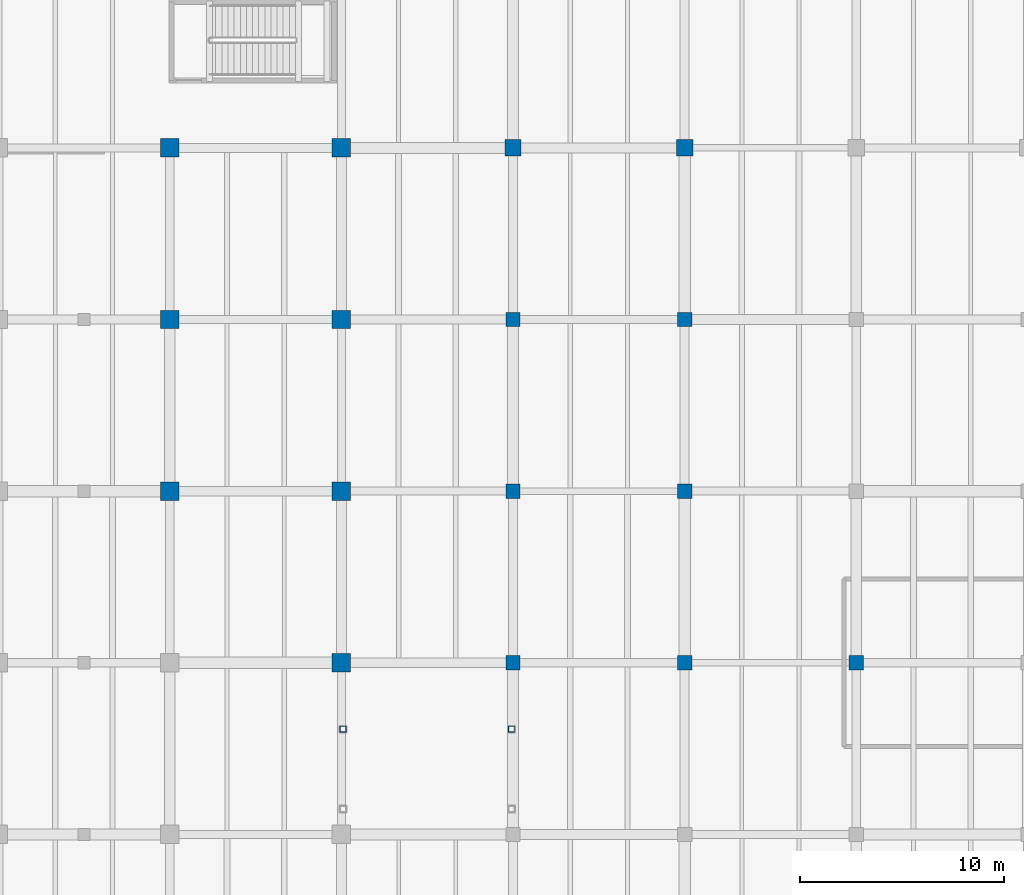
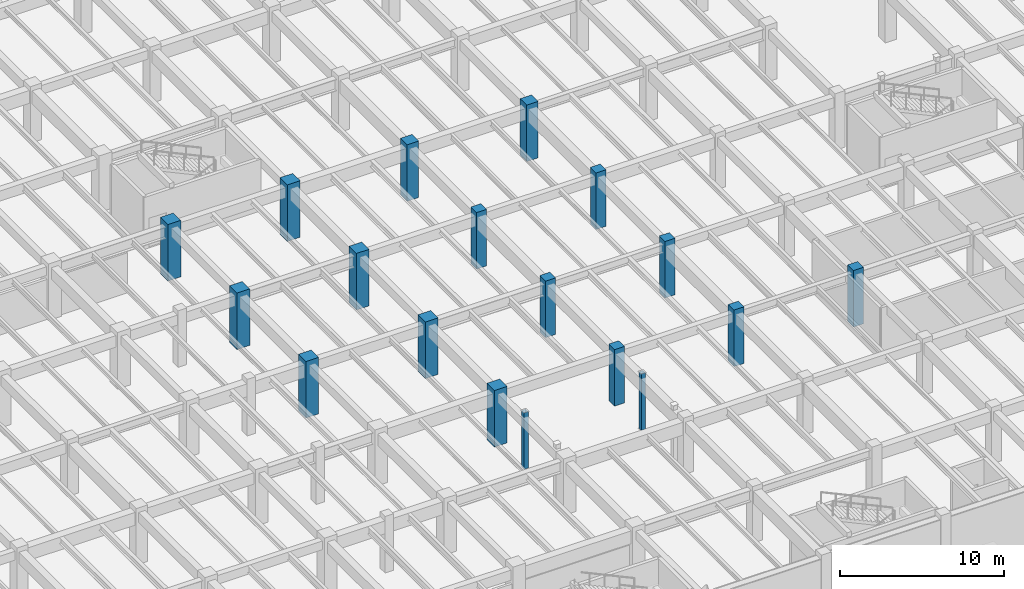
# One storey, part 5 of 63: 18 columns.
"""IFC4 building model written with IfcOpenShell, lengths in metres."""

from ifc_helpers import new_model, si_unit, direction, frame, origin, origin_2d, place, context, subcontext, project, spatial, rectangle, hollow_rectangle, extrude, material, material_profile, profile_set, type_object, element, save


model = new_model("IFC4")

# Units and contexts
model_context = context("Model", 3, precision=1e-05, world=origin(), true_north=direction((0.0, 1.0)))
body_context = subcontext(model_context, "Body", "Model", "MODEL_VIEW")
ifc_project = project(units=[si_unit("LENGTHUNIT", "METRE"), si_unit("AREAUNIT", "SQUARE_METRE"), si_unit("VOLUMEUNIT", "CUBIC_METRE"), si_unit("PLANEANGLEUNIT", "RADIAN"), si_unit("MASSUNIT", "GRAM", prefix="KILO")], contexts=[model_context])

# Site, building, storey
site_placement = place(None, origin())
site = spatial("IfcSite", under=ifc_project, at=site_placement, CompositionType="ELEMENT")
building_placement = place(site_placement, origin())
building = spatial("IfcBuilding", under=site, at=building_placement, Name="Cumbredor Promenade Congress Hotel", CompositionType="ELEMENT")
storey_placement = place(building_placement, frame((0.0, 0.0, -4.199951171875)))
storey = spatial("IfcBuildingStorey", under=building, at=storey_placement, Name="B01", CompositionType="ELEMENT", Elevation=-4.199951171875)

# Columns
ifc_material_1 = material(Name="Concrete C40/50", Category="concrete")
ifc_material_profile_1 = material_profile(ifc_material_1, rectangle(XDim=0.699951171875, YDim=0.699951171875, at=origin_2d()), Name="RC 700x700")
ifc_profile_set_1 = profile_set([ifc_material_profile_1], Name="Concrete C40/50")
column_type_1 = type_object("IfcColumnType", Name="COL-RC-700", PredefinedType="COLUMN", material=ifc_profile_set_1)
for number, where, z_axis, x_axis, name in (
    (1, (75.60009765625, 33.60009765625, 0.0), (0.0, 0.0, 1.0), (1.0, 0.0, 0.0), "B01 Structural Column 117"),
    (2, (75.60009765625, 42.0, 0.0), (0.0, 0.0, 1.0), (1.0, 0.0, 0.0), "B01 Structural Column 118"),
    (3, (75.60009765625, 50.39990234375, 0.0), (0.0, 0.0, 1.0), (1.0, 0.0, 0.0), "B01 Structural Column 119"),
    (4, (84.0, 33.60009765625, 0.0), (0.0, 0.0, 1.0), (1.0, 0.0, 0.0), "B01 Structural Column 131"),
    (5, (84.0, 42.0, 0.0), (0.0, 0.0, 1.0), (1.0, 0.0, 0.0), "B01 Structural Column 132"),
    (6, (84.0, 50.39990234375, 0.0), (0.0, 0.0, 1.0), (1.0, 0.0, 0.0), "B01 Structural Column 133"),
    (7, (92.39990234375, 33.60009765625, 0.0), (0.0, 0.0, 1.0), (1.0, 0.0, 0.0), "B01 Structural Column 145"),
):
    element("IfcColumn", number, at=place(storey_placement, frame(where, z_axis=z_axis, x_axis=x_axis)), inside=storey, type_object=column_type_1, Name=name, PredefinedType="COLUMN", context=body_context, shape_type="SweptSolid", body=[
        extrude(rectangle(XDim=0.699951171875, YDim=0.699951171875, at=origin_2d()), origin(), (0.0, 0.0, 1.0), 4.199951171875),
    ])
ifc_material_2 = material(Name="Concrete C50/60", Category="concrete")
ifc_material_profile_2 = material_profile(ifc_material_2, rectangle(XDim=0.800048828125, YDim=0.800048828125, at=origin_2d()), Name="RC 800x800")
ifc_profile_set_2 = profile_set([ifc_material_profile_2], Name="Concrete C50/60")
column_type_2 = type_object("IfcColumnType", Name="COL-RC-800", PredefinedType="COLUMN", material=ifc_profile_set_2)
for number, where, z_axis, x_axis, name in (
    (8, (75.60009765625, 58.800048828125, 0.0), (0.0, 0.0, 1.0), (1.0, 0.0, 0.0), "B01 Structural Column 120"),
    (9, (84.0, 58.800048828125, 0.0), (0.0, 0.0, 1.0), (1.0, 0.0, 0.0), "B01 Structural Column 134"),
):
    element("IfcColumn", number, at=place(storey_placement, frame(where, z_axis=z_axis, x_axis=x_axis)), inside=storey, type_object=column_type_2, Name=name, PredefinedType="COLUMN", context=body_context, shape_type="SweptSolid", body=[
        extrude(rectangle(XDim=0.800048828125, YDim=0.800048828125, at=origin_2d()), origin(), (0.0, 0.0, 1.0), 4.199951171875),
    ])
ifc_material_profile_3 = material_profile(ifc_material_2, rectangle(XDim=0.89990234375, YDim=0.89990234375, at=origin_2d()), Name="RC 900x900")
ifc_profile_set_3 = profile_set([ifc_material_profile_3], Name="Concrete C50/60")
column_type_3 = type_object("IfcColumnType", Name="COL-RC-900", PredefinedType="COLUMN", material=ifc_profile_set_3)
for number, where, z_axis, x_axis, name in (
    (10, (58.800048828125, 42.0, 0.0), (0.0, 0.0, 1.0), (1.0, 0.0, 0.0), "B01 Structural Column 090"),
    (11, (58.800048828125, 50.39990234375, 0.0), (0.0, 0.0, 1.0), (1.0, 0.0, 0.0), "B01 Structural Column 091"),
    (12, (58.800048828125, 58.800048828125, 0.0), (0.0, 0.0, 1.0), (1.0, 0.0, 0.0), "B01 Structural Column 092"),
    (13, (67.199951171875, 33.60009765625, 0.0), (0.0, 0.0, 1.0), (1.0, 0.0, 0.0), "B01 Structural Column 103"),
    (14, (67.199951171875, 42.0, 0.0), (0.0, 0.0, 1.0), (1.0, 0.0, 0.0), "B01 Structural Column 104"),
    (15, (67.199951171875, 50.39990234375, 0.0), (0.0, 0.0, 1.0), (1.0, 0.0, 0.0), "B01 Structural Column 105"),
    (16, (67.199951171875, 58.800048828125, 0.0), (0.0, 0.0, 1.0), (1.0, 0.0, 0.0), "B01 Structural Column 106"),
):
    element("IfcColumn", number, at=place(storey_placement, frame(where, z_axis=z_axis, x_axis=x_axis)), inside=storey, type_object=column_type_3, Name=name, PredefinedType="COLUMN", context=body_context, shape_type="SweptSolid", body=[
        extrude(rectangle(XDim=0.89990234375, YDim=0.89990234375, at=origin_2d()), origin(), (0.0, 0.0, 1.0), 4.199951171875),
    ])
ifc_material_3 = material(Name="Steel ASTM A500 Grade C", Category="steel")
ifc_material_profile_4 = material_profile(ifc_material_3, hollow_rectangle(XDim=0.300048828125, YDim=0.300048828125, WallThickness=0.01611328125, at=origin_2d()), Name="HSS 300x300x16")
ifc_profile_set_4 = profile_set([ifc_material_profile_4], Name="Steel ASTM A500 Grade C")
column_type_4 = type_object("IfcColumnType", Name="COL-STL-HSS300", PredefinedType="COLUMN", material=ifc_profile_set_4)
for number, where, z_axis, x_axis, name in (
    (17, (67.280029296875, 30.35009765625, 0.0), (0.0, 0.0, 1.0), (1.0, 0.0, 0.0), "Central Plenary-to-Spa Pool Bridge B01 Substructure Pier 2"),
    (18, (75.52001953125, 30.35009765625, 0.0), (0.0, 0.0, 1.0), (1.0, 0.0, 0.0), "Central Plenary-to-Spa Pool Bridge B01 Substructure Pier 4"),
):
    element("IfcColumn", number, at=place(storey_placement, frame(where, z_axis=z_axis, x_axis=x_axis)), inside=storey, type_object=column_type_4, Name=name, PredefinedType="COLUMN", context=body_context, shape_type="SweptSolid", body=[
        extrude(hollow_rectangle(XDim=0.300048828125, YDim=0.300048828125, WallThickness=0.01611328125, at=origin_2d()), origin(), (0.0, 0.0, 1.0), 4.199951171875),
    ])

save(model, "model.ifc")
